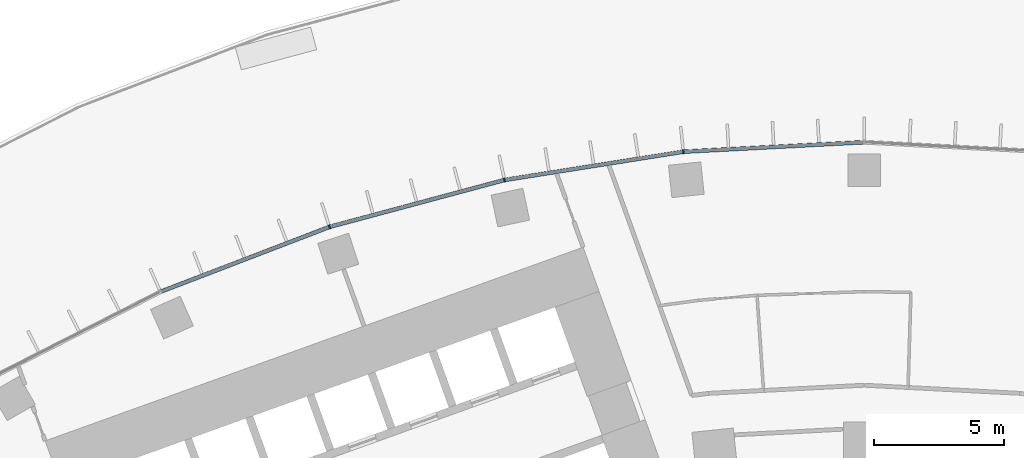
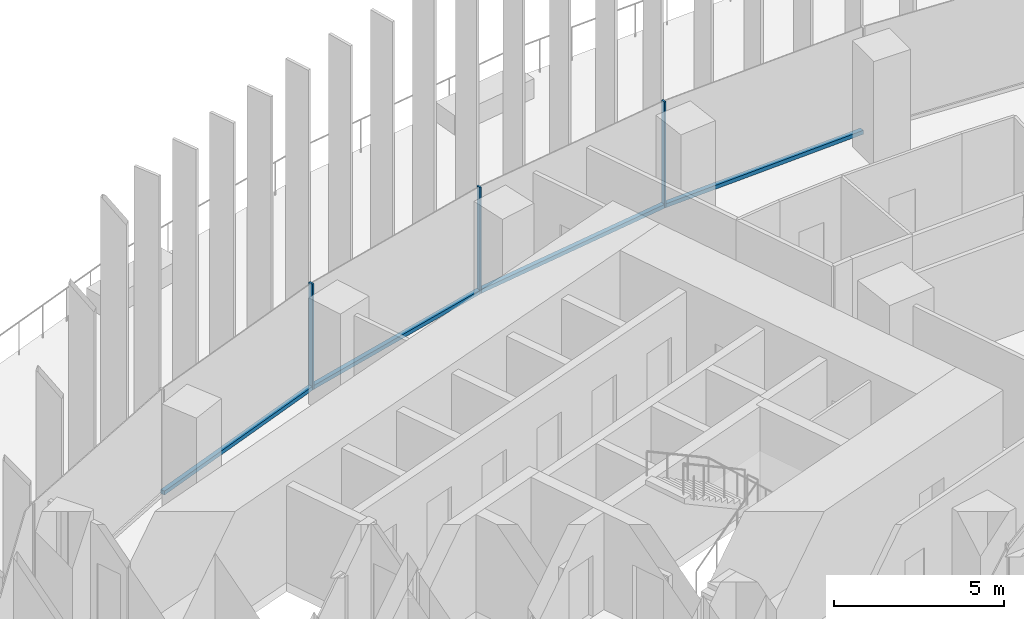
# One storey, part 6 of 24: 7 members, 1 element without a shape of its own.
"""IFC4 building model written with IfcOpenShell, lengths in metres."""

import ifcopenshell
import ifcopenshell.guid

model = None  # the IFC model being written
_history = None  # IfcOwnerHistory: only IFC2X3 demands one
_inside = {}  # id of a spatial element -> (the spatial element, [elements in it])
_under = {}  # id of a project, library or spatial element -> (it, [spatial elements below it])
_declared = {}  # id of a project -> (the project, [libraries it declares])
_typed = {}  # id of a type object -> (the type object, [elements of that type])
_made_of = {}  # id of a material, layer set ... -> (it, [elements and type objects made of it])


def new_model(schema):
    """Start an empty IFC model of exactly this schema.

    Asked for "IFC4X3", IfcOpenShell would pick the latest addendum, in which some entities
    have other attributes; the version numbers below select the first issue.
    IFC2X3 requires an IfcOwnerHistory on every rooted entity: one is made here for all.
    """
    global model, _history
    if schema == "IFC4X3":
        model = ifcopenshell.file(schema_version=(4, 3, 0, 0))
    else:
        model = ifcopenshell.file(schema=schema)
    _inside.clear()
    _under.clear()
    _declared.clear()
    _typed.clear()
    _made_of.clear()
    _history = None
    if model.schema == "IFC2X3":
        org = make("IfcOrganization", Name="unknown")
        user = make(
            "IfcPersonAndOrganization",
            ThePerson=make("IfcPerson", FamilyName="unknown"),
            TheOrganization=org,
        )
        app = make(
            "IfcApplication",
            ApplicationDeveloper=org,
            Version="unknown",
            ApplicationFullName="unknown",
            ApplicationIdentifier="unknown",
        )
        _history = make(
            "IfcOwnerHistory",
            OwningUser=user,
            OwningApplication=app,
            ChangeAction="ADDED",
            CreationDate=0,
        )
    return model


def make(cls, **values):
    """One entity of the class cls with the attributes given. An attribute that is None is left unset."""
    return model.create_entity(
        cls, **{name: value for name, value in values.items() if value is not None}
    )


def rooted(cls, **values):
    """An entity with a GlobalId (a new one), such as an element, a storey or a relation."""
    return make(cls, GlobalId=ifcopenshell.guid.new(), OwnerHistory=_history, **values)


def si_unit(unit_type, name, prefix=None):
    """IfcSIUnit, for example si_unit("LENGTHUNIT", "METRE", prefix="MILLI")."""
    return make("IfcSIUnit", UnitType=unit_type, Prefix=prefix, Name=name)


def assignment(units):
    """IfcUnitAssignment: the units of a project."""
    return None if units is None else make("IfcUnitAssignment", Units=units)


def point(xyz):
    """IfcCartesianPoint."""
    return None if xyz is None else make("IfcCartesianPoint", Coordinates=xyz)


def direction(xyz):
    """IfcDirection."""
    return None if xyz is None else make("IfcDirection", DirectionRatios=xyz)


def frame(location, z_axis=None, x_axis=None):
    """IfcAxis2Placement3D, a coordinate frame: its origin and axes. An axis left out is left unset."""
    return make(
        "IfcAxis2Placement3D",
        Location=point(location),
        Axis=direction(z_axis),
        RefDirection=direction(x_axis),
    )


def frame_2d(location, x_axis=None):
    """IfcAxis2Placement2D, a coordinate frame in the plane: its origin and x axis."""
    return make(
        "IfcAxis2Placement2D", Location=point(location), RefDirection=direction(x_axis)
    )


def origin():
    """The frame at (0, 0, 0) with its axes left unset."""
    return frame((0.0, 0.0, 0.0))


def origin_2d():
    """The frame at (0, 0) in the plane with its x axis left unset."""
    return frame_2d((0.0, 0.0))


def place(relative_to, where):
    """IfcLocalPlacement: puts the frame where relative to a parent placement (None: the world)."""
    return make(
        "IfcLocalPlacement", PlacementRelTo=relative_to, RelativePlacement=where
    )


def context(
    kind, dimensions, precision=None, world=None, true_north=None, identifier=None
):
    """IfcGeometricRepresentationContext, for example the 3D "Model" context."""
    return make(
        "IfcGeometricRepresentationContext",
        ContextIdentifier=identifier,
        ContextType=kind,
        CoordinateSpaceDimension=dimensions,
        Precision=precision,
        WorldCoordinateSystem=world,
        TrueNorth=true_north,
    )


def subcontext(parent, identifier, kind, view, scale=None):
    """IfcGeometricRepresentationSubContext, for example "Body" below "Model"."""
    return make(
        "IfcGeometricRepresentationSubContext",
        ContextIdentifier=identifier,
        ContextType=kind,
        ParentContext=parent,
        TargetScale=scale,
        TargetView=view,
    )


def project(units=None, contexts=None):
    """IfcProject with its units and contexts."""
    return rooted(
        "IfcProject",
        Name="project",
        RepresentationContexts=contexts,
        UnitsInContext=assignment(units),
    )


def spatial(cls, under=None, at=None, **own):
    """A site, building, storey or space (cls), placed at a placement, below another one or the project."""
    s = rooted(cls, ObjectPlacement=at, **own)
    if under is not None:
        _under.setdefault(under.id(), (under, []))[1].append(s)
    return s


def profile(cls, at=None, kind="AREA", **sizes):
    """A parametric profile (cls). Its sizes go by their IFC names, for example OverallWidth=200.0."""
    return make(cls, ProfileType=kind, Position=at, **sizes)


def rectangle(**sizes):
    """IfcRectangleProfileDef."""
    return profile("IfcRectangleProfileDef", **sizes)


def extrude(swept, where, along, depth):
    """IfcExtrudedAreaSolid: the profile swept, set in the frame where, extruded along a direction by depth."""
    return make(
        "IfcExtrudedAreaSolid",
        SweptArea=swept,
        Position=where,
        ExtrudedDirection=direction(along),
        Depth=depth,
    )


def shape(context_of_items, identifier, shape_type, items):
    """IfcShapeRepresentation: the items that make up one representation, for example the "Body"."""
    return make(
        "IfcShapeRepresentation",
        ContextOfItems=context_of_items,
        RepresentationIdentifier=identifier,
        RepresentationType=shape_type,
        Items=items,
    )


def material(Name=None, Category=None):
    """IfcMaterial."""
    return make("IfcMaterial", Name=Name, Category=Category)


def layer(
    of_material, thickness, ventilated=None, Name=None, Category=None, Priority=None
):
    """IfcMaterialLayer: one layer of a wall or slab, of a material (None: an air gap)."""
    return make(
        "IfcMaterialLayer",
        Material=of_material,
        LayerThickness=thickness,
        IsVentilated=ventilated,
        Name=Name,
        Category=Category,
        Priority=Priority,
    )


def layer_set(layers, Name=None):
    """IfcMaterialLayerSet."""
    return make("IfcMaterialLayerSet", MaterialLayers=layers, LayerSetName=Name)


def material_profile(
    of_material, cross_section, Name=None, Category=None, Priority=None
):
    """IfcMaterialProfile: a cross section and its material."""
    return make(
        "IfcMaterialProfile",
        Name=Name,
        Material=of_material,
        Profile=cross_section,
        Priority=Priority,
        Category=Category,
    )


def profile_set(profiles, Name=None, composite=None):
    """IfcMaterialProfileSet."""
    return make(
        "IfcMaterialProfileSet",
        Name=Name,
        MaterialProfiles=profiles,
        CompositeProfile=composite,
    )


def made_of(thing, what):
    """Note that an element or type object is made of a material, layer set ...; save() writes the relation."""
    if what is not None:
        _made_of.setdefault(what.id(), (what, []))[1].append(thing)
    return thing


def type_object(cls, material=None, **own):
    """A type object (cls), such as IfcWallType, which elements share."""
    return made_of(rooted(cls, **own), material)


def element(
    cls,
    number,
    at=None,
    inside=None,
    cuts=None,
    type_object=None,
    material=None,
    context=None,
    identifier="Body",
    shape_type=None,
    held_by="IfcProductDefinitionShape",
    body=None,
    shapes=None,
    **own,
):
    """One element of the class cls, such as IfcWall. Its Tag is "e" and its number.

    at: its placement. inside: the storey or other place that contains it. cuts: it is an
    opening in that element (IfcRelVoidsElement). A single representation is given by context,
    identifier, shape_type and body (its items); several are given by shapes. held_by: the class
    of the entity that holds the representations. save() writes the other relations.
    """
    e = rooted(cls, Tag="e%d" % number, ObjectPlacement=at, **own)
    if body is not None:
        shapes = [shape(context, identifier, shape_type, body)]
    if shapes is not None:
        e.Representation = make(held_by, Representations=shapes)
    if inside is not None:
        _inside.setdefault(inside.id(), (inside, []))[1].append(e)
    if cuts is not None:
        rooted(
            "IfcRelVoidsElement", RelatingBuildingElement=cuts, RelatedOpeningElement=e
        )
    if type_object is not None:
        _typed.setdefault(type_object.id(), (type_object, []))[1].append(e)
    return made_of(e, material)


def aggregate(whole, parts):
    """IfcRelAggregates: a whole, such as a stair, and the parts it consists of."""
    return rooted("IfcRelAggregates", RelatingObject=whole, RelatedObjects=parts)


def save(model, path):
    """Write the relations noted so far, then the file.

    IfcRelAggregates (storeys below a building ...), IfcRelContainedInSpatialStructure (elements
    in a storey), IfcRelDefinesByType, IfcRelAssociatesMaterial and IfcRelDeclares: one each for
    every whole, place, type object, material and project.
    """
    for whole, parts in _under.values():
        aggregate(whole, parts)
    for where, things in _inside.values():
        rooted(
            "IfcRelContainedInSpatialStructure",
            RelatedElements=things,
            RelatingStructure=where,
        )
    for kind, things in _typed.values():
        rooted("IfcRelDefinesByType", RelatedObjects=things, RelatingType=kind)
    for what, things in _made_of.values():
        rooted("IfcRelAssociatesMaterial", RelatedObjects=things, RelatingMaterial=what)
    for by, libraries in _declared.values():
        rooted("IfcRelDeclares", RelatingContext=by, RelatedDefinitions=libraries)
    model.write(path)


model = new_model("IFC4")

# Units and contexts
model_context = context("Model", 3, precision=1e-05, world=origin(), true_north=direction((0.0, 1.0)))
body_context = subcontext(model_context, "Body", "Model", "MODEL_VIEW")
ifc_project = project(units=[si_unit("LENGTHUNIT", "METRE"), si_unit("AREAUNIT", "SQUARE_METRE"), si_unit("VOLUMEUNIT", "CUBIC_METRE"), si_unit("PLANEANGLEUNIT", "RADIAN"), si_unit("MASSUNIT", "GRAM", prefix="KILO")], contexts=[model_context])

# Site, building, storey
site_placement = place(None, origin())
site = spatial("IfcSite", under=ifc_project, at=site_placement, CompositionType="ELEMENT")
building_placement = place(site_placement, origin())
building = spatial("IfcBuilding", under=site, at=building_placement, Name="Stone Belt Terrace Tower", CompositionType="ELEMENT")
storey_placement = place(building_placement, frame((0.0, 0.0, 30.0)))
storey = spatial("IfcBuildingStorey", under=building, at=storey_placement, Name="L06", CompositionType="ELEMENT", Elevation=30.0)

# Curtain wall, members
ifc_material = material(Name="Aluminium 6063-T6 anodised frame", Category="aluminium")
ifc_layer = layer(ifc_material, 0.14990234375)
ifc_layer_set = layer_set([ifc_layer], Name="CW-A unitised convex-face curtain wall")
curtain_wall_type = type_object("IfcCurtainWallType", Name="CW-A unitised convex-face curtain wall", PredefinedType="NOTDEFINED", material=ifc_layer_set)
curtain_wall_placement = place(storey_placement, origin())
curtain_wall = element("IfcCurtainWall", 1, at=curtain_wall_placement, inside=storey, type_object=curtain_wall_type, Name="CW-A convex face L06", PredefinedType="NOTDEFINED")
ifc_material_profile_1 = material_profile(ifc_material, rectangle(XDim=0.14990234375, YDim=0.06005859375, at=origin_2d()), Name="Aluminium 6063-T6 60x150")
ifc_profile_set_1 = profile_set([ifc_material_profile_1], Name="Aluminium 6063-T6 anodised frame")
member_type_1 = type_object("IfcMemberType", Name="CW-A mullion 60 x 150", PredefinedType="MULLION", material=ifc_profile_set_1)
member_1_placement = place(storey_placement, frame((-6.958984375, 66.21044921875, 0.0), z_axis=(0.0, 0.0, 1.0), x_axis=(0.104528463268, -0.994521895368, 0.0)))
member_1 = element("IfcMember", 2, at=member_1_placement, type_object=member_type_1, Name="CW-A mullion 11", PredefinedType="MULLION", context=body_context, shape_type="SweptSolid", body=[
    extrude(rectangle(XDim=0.14990234375, YDim=0.06005859375, at=origin_2d()), origin(), (0.0, 0.0, 1.0), 3.800048828125),
])
member_2_placement = place(storey_placement, frame((-13.841796875, 65.120361328125, 0.0), z_axis=(0.0, 0.0, 1.0), x_axis=(0.207911690818, -0.978147600734, 0.0)))
member_2 = element("IfcMember", 3, at=member_2_placement, type_object=member_type_1, Name="CW-A mullion 12", PredefinedType="MULLION", context=body_context, shape_type="SweptSolid", body=[
    extrude(rectangle(XDim=0.14990234375, YDim=0.06005859375, at=origin_2d()), origin(), (0.0, 0.0, 1.0), 3.800048828125),
])
member_3_placement = place(storey_placement, frame((-20.57275390625, 63.316650390625, 0.0), z_axis=(0.0, 0.0, 1.0), x_axis=(0.309016994375, -0.951056516295, 0.0)))
member_3 = element("IfcMember", 4, at=member_3_placement, type_object=member_type_1, Name="CW-A mullion 13", PredefinedType="MULLION", context=body_context, shape_type="SweptSolid", body=[
    extrude(rectangle(XDim=0.14990234375, YDim=0.06005859375, at=origin_2d()), origin(), (0.0, 0.0, 1.0), 3.800048828125),
])
ifc_material_profile_2 = material_profile(ifc_material, rectangle(XDim=0.14990234375, YDim=0.139892578125, at=origin_2d()), Name="Aluminium 6063-T6 150x140")
ifc_profile_set_2 = profile_set([ifc_material_profile_2], Name="Aluminium 6063-T6 anodised frame")
member_type_2 = type_object("IfcMemberType", Name="CW-A transom 140 x 150", PredefinedType="USERDEFINED", material=ifc_profile_set_2)
member_4_placement = place(storey_placement, frame((-0.033935546875, 66.5732421875, 0.070068359375), z_axis=(-0.998630019135, -0.052326712899, 0.0), x_axis=(0.052326712899, -0.998630019135, 0.0)))
member_4 = element("IfcMember", 5, at=member_4_placement, type_object=member_type_2, Name="CW-A transom 10.1", ObjectType="TRANSOM", PredefinedType="USERDEFINED", context=body_context, shape_type="SweptSolid", body=[
    extrude(rectangle(XDim=0.14990234375, YDim=0.139892578125, at=origin_2d()), origin(), (0.0, 0.0, 1.0), 6.900634765625),
])
member_5_placement = place(storey_placement, frame((-6.992431640625, 66.205078125, 0.070068359375), z_axis=(-0.987687120531, -0.156442168027, 0.0), x_axis=(0.156442168027, -0.987687120531, 0.0)))
member_5 = element("IfcMember", 6, at=member_5_placement, type_object=member_type_2, Name="CW-A transom 11.1", ObjectType="TRANSOM", PredefinedType="USERDEFINED", context=body_context, shape_type="SweptSolid", body=[
    extrude(rectangle(XDim=0.14990234375, YDim=0.139892578125, at=origin_2d()), origin(), (0.0, 0.0, 1.0), 6.90087890625),
])
member_6_placement = place(storey_placement, frame((-13.87451171875, 65.111572265625, 0.070068359375), z_axis=(-0.965921835863, -0.258833937117, 0.0), x_axis=(0.258833937117, -0.965921835863, 0.0)))
member_6 = element("IfcMember", 7, at=member_6_placement, type_object=member_type_2, Name="CW-A transom 12.1", ObjectType="TRANSOM", PredefinedType="USERDEFINED", context=body_context, shape_type="SweptSolid", body=[
    extrude(rectangle(XDim=0.14990234375, YDim=0.139892578125, at=origin_2d()), origin(), (0.0, 0.0, 1.0), 6.900634765625),
])
member_7_placement = place(storey_placement, frame((-20.6044921875, 63.304443359375, 0.070068359375), z_axis=(-0.933585210269, -0.358355487146, 0.0), x_axis=(0.358355487146, -0.933585210269, 0.0)))
member_7 = element("IfcMember", 8, at=member_7_placement, type_object=member_type_2, Name="CW-A transom 13.1", ObjectType="TRANSOM", PredefinedType="USERDEFINED", context=body_context, shape_type="SweptSolid", body=[
    extrude(rectangle(XDim=0.14990234375, YDim=0.139892578125, at=origin_2d()), origin(), (0.0, 0.0, 1.0), 6.900634765625),
])
aggregate(curtain_wall, [member_1, member_2, member_3, member_4, member_5, member_6, member_7])

save(model, "model.ifc")
